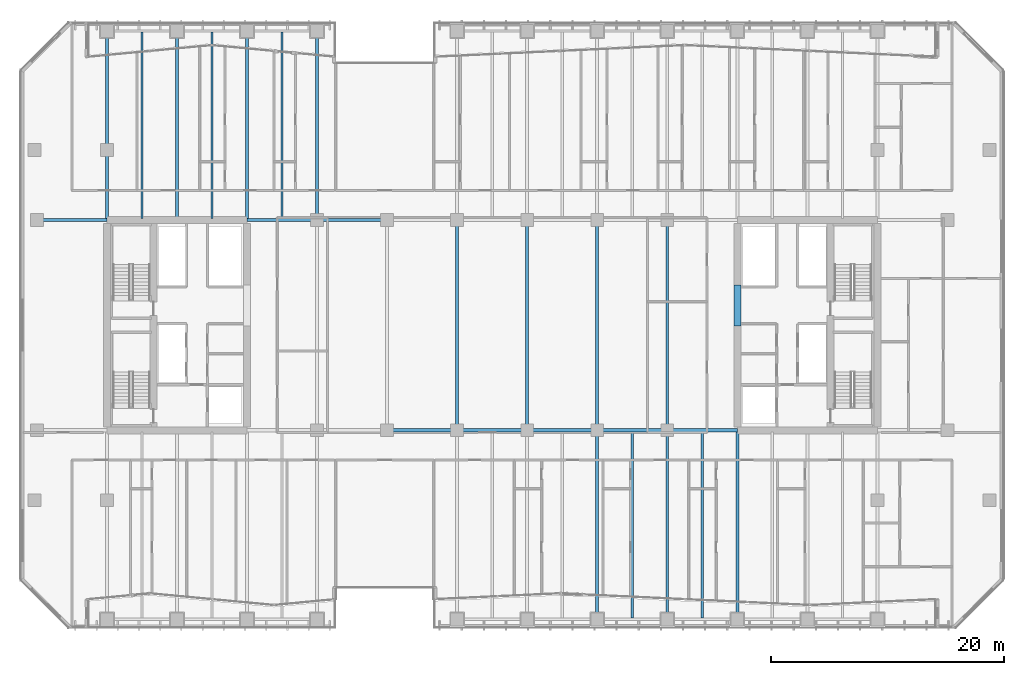
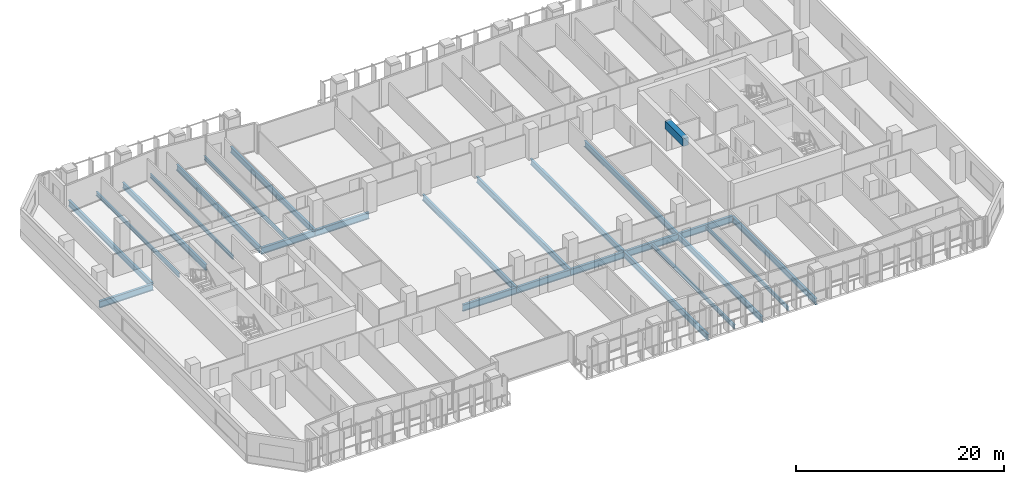
# One storey, part 8 of 31: 25 beams.
"""IFC4 building model written with IfcOpenShell, lengths in metres."""

import ifcopenshell
import ifcopenshell.guid

model = None  # the IFC model being written
_history = None  # IfcOwnerHistory: only IFC2X3 demands one
_inside = {}  # id of a spatial element -> (the spatial element, [elements in it])
_under = {}  # id of a project, library or spatial element -> (it, [spatial elements below it])
_declared = {}  # id of a project -> (the project, [libraries it declares])
_typed = {}  # id of a type object -> (the type object, [elements of that type])
_made_of = {}  # id of a material, layer set ... -> (it, [elements and type objects made of it])


def new_model(schema):
    """Start an empty IFC model of exactly this schema.

    Asked for "IFC4X3", IfcOpenShell would pick the latest addendum, in which some entities
    have other attributes; the version numbers below select the first issue.
    IFC2X3 requires an IfcOwnerHistory on every rooted entity: one is made here for all.
    """
    global model, _history
    if schema == "IFC4X3":
        model = ifcopenshell.file(schema_version=(4, 3, 0, 0))
    else:
        model = ifcopenshell.file(schema=schema)
    _inside.clear()
    _under.clear()
    _declared.clear()
    _typed.clear()
    _made_of.clear()
    _history = None
    if model.schema == "IFC2X3":
        org = make("IfcOrganization", Name="unknown")
        user = make(
            "IfcPersonAndOrganization",
            ThePerson=make("IfcPerson", FamilyName="unknown"),
            TheOrganization=org,
        )
        app = make(
            "IfcApplication",
            ApplicationDeveloper=org,
            Version="unknown",
            ApplicationFullName="unknown",
            ApplicationIdentifier="unknown",
        )
        _history = make(
            "IfcOwnerHistory",
            OwningUser=user,
            OwningApplication=app,
            ChangeAction="ADDED",
            CreationDate=0,
        )
    return model


def make(cls, **values):
    """One entity of the class cls with the attributes given. An attribute that is None is left unset."""
    return model.create_entity(
        cls, **{name: value for name, value in values.items() if value is not None}
    )


def rooted(cls, **values):
    """An entity with a GlobalId (a new one), such as an element, a storey or a relation."""
    return make(cls, GlobalId=ifcopenshell.guid.new(), OwnerHistory=_history, **values)


def si_unit(unit_type, name, prefix=None):
    """IfcSIUnit, for example si_unit("LENGTHUNIT", "METRE", prefix="MILLI")."""
    return make("IfcSIUnit", UnitType=unit_type, Prefix=prefix, Name=name)


def assignment(units):
    """IfcUnitAssignment: the units of a project."""
    return None if units is None else make("IfcUnitAssignment", Units=units)


def point(xyz):
    """IfcCartesianPoint."""
    return None if xyz is None else make("IfcCartesianPoint", Coordinates=xyz)


def direction(xyz):
    """IfcDirection."""
    return None if xyz is None else make("IfcDirection", DirectionRatios=xyz)


def frame(location, z_axis=None, x_axis=None):
    """IfcAxis2Placement3D, a coordinate frame: its origin and axes. An axis left out is left unset."""
    return make(
        "IfcAxis2Placement3D",
        Location=point(location),
        Axis=direction(z_axis),
        RefDirection=direction(x_axis),
    )


def frame_2d(location, x_axis=None):
    """IfcAxis2Placement2D, a coordinate frame in the plane: its origin and x axis."""
    return make(
        "IfcAxis2Placement2D", Location=point(location), RefDirection=direction(x_axis)
    )


def origin():
    """The frame at (0, 0, 0) with its axes left unset."""
    return frame((0.0, 0.0, 0.0))


def origin_2d():
    """The frame at (0, 0) in the plane with its x axis left unset."""
    return frame_2d((0.0, 0.0))


def place(relative_to, where):
    """IfcLocalPlacement: puts the frame where relative to a parent placement (None: the world)."""
    return make(
        "IfcLocalPlacement", PlacementRelTo=relative_to, RelativePlacement=where
    )


def context(
    kind, dimensions, precision=None, world=None, true_north=None, identifier=None
):
    """IfcGeometricRepresentationContext, for example the 3D "Model" context."""
    return make(
        "IfcGeometricRepresentationContext",
        ContextIdentifier=identifier,
        ContextType=kind,
        CoordinateSpaceDimension=dimensions,
        Precision=precision,
        WorldCoordinateSystem=world,
        TrueNorth=true_north,
    )


def subcontext(parent, identifier, kind, view, scale=None):
    """IfcGeometricRepresentationSubContext, for example "Body" below "Model"."""
    return make(
        "IfcGeometricRepresentationSubContext",
        ContextIdentifier=identifier,
        ContextType=kind,
        ParentContext=parent,
        TargetScale=scale,
        TargetView=view,
    )


def project(units=None, contexts=None):
    """IfcProject with its units and contexts."""
    return rooted(
        "IfcProject",
        Name="project",
        RepresentationContexts=contexts,
        UnitsInContext=assignment(units),
    )


def spatial(cls, under=None, at=None, **own):
    """A site, building, storey or space (cls), placed at a placement, below another one or the project."""
    s = rooted(cls, ObjectPlacement=at, **own)
    if under is not None:
        _under.setdefault(under.id(), (under, []))[1].append(s)
    return s


def profile(cls, at=None, kind="AREA", **sizes):
    """A parametric profile (cls). Its sizes go by their IFC names, for example OverallWidth=200.0."""
    return make(cls, ProfileType=kind, Position=at, **sizes)


def rectangle(**sizes):
    """IfcRectangleProfileDef."""
    return profile("IfcRectangleProfileDef", **sizes)


def i_section(**sizes):
    """IfcIShapeProfileDef."""
    return profile("IfcIShapeProfileDef", **sizes)


def extrude(swept, where, along, depth):
    """IfcExtrudedAreaSolid: the profile swept, set in the frame where, extruded along a direction by depth."""
    return make(
        "IfcExtrudedAreaSolid",
        SweptArea=swept,
        Position=where,
        ExtrudedDirection=direction(along),
        Depth=depth,
    )


def shape(context_of_items, identifier, shape_type, items):
    """IfcShapeRepresentation: the items that make up one representation, for example the "Body"."""
    return make(
        "IfcShapeRepresentation",
        ContextOfItems=context_of_items,
        RepresentationIdentifier=identifier,
        RepresentationType=shape_type,
        Items=items,
    )


def material(Name=None, Category=None):
    """IfcMaterial."""
    return make("IfcMaterial", Name=Name, Category=Category)


def material_profile(
    of_material, cross_section, Name=None, Category=None, Priority=None
):
    """IfcMaterialProfile: a cross section and its material."""
    return make(
        "IfcMaterialProfile",
        Name=Name,
        Material=of_material,
        Profile=cross_section,
        Priority=Priority,
        Category=Category,
    )


def profile_set(profiles, Name=None, composite=None):
    """IfcMaterialProfileSet."""
    return make(
        "IfcMaterialProfileSet",
        Name=Name,
        MaterialProfiles=profiles,
        CompositeProfile=composite,
    )


def made_of(thing, what):
    """Note that an element or type object is made of a material, layer set ...; save() writes the relation."""
    if what is not None:
        _made_of.setdefault(what.id(), (what, []))[1].append(thing)
    return thing


def type_object(cls, material=None, **own):
    """A type object (cls), such as IfcWallType, which elements share."""
    return made_of(rooted(cls, **own), material)


def element(
    cls,
    number,
    at=None,
    inside=None,
    cuts=None,
    type_object=None,
    material=None,
    context=None,
    identifier="Body",
    shape_type=None,
    held_by="IfcProductDefinitionShape",
    body=None,
    shapes=None,
    **own,
):
    """One element of the class cls, such as IfcWall. Its Tag is "e" and its number.

    at: its placement. inside: the storey or other place that contains it. cuts: it is an
    opening in that element (IfcRelVoidsElement). A single representation is given by context,
    identifier, shape_type and body (its items); several are given by shapes. held_by: the class
    of the entity that holds the representations. save() writes the other relations.
    """
    e = rooted(cls, Tag="e%d" % number, ObjectPlacement=at, **own)
    if body is not None:
        shapes = [shape(context, identifier, shape_type, body)]
    if shapes is not None:
        e.Representation = make(held_by, Representations=shapes)
    if inside is not None:
        _inside.setdefault(inside.id(), (inside, []))[1].append(e)
    if cuts is not None:
        rooted(
            "IfcRelVoidsElement", RelatingBuildingElement=cuts, RelatedOpeningElement=e
        )
    if type_object is not None:
        _typed.setdefault(type_object.id(), (type_object, []))[1].append(e)
    return made_of(e, material)


def aggregate(whole, parts):
    """IfcRelAggregates: a whole, such as a stair, and the parts it consists of."""
    return rooted("IfcRelAggregates", RelatingObject=whole, RelatedObjects=parts)


def save(model, path):
    """Write the relations noted so far, then the file.

    IfcRelAggregates (storeys below a building ...), IfcRelContainedInSpatialStructure (elements
    in a storey), IfcRelDefinesByType, IfcRelAssociatesMaterial and IfcRelDeclares: one each for
    every whole, place, type object, material and project.
    """
    for whole, parts in _under.values():
        aggregate(whole, parts)
    for where, things in _inside.values():
        rooted(
            "IfcRelContainedInSpatialStructure",
            RelatedElements=things,
            RelatingStructure=where,
        )
    for kind, things in _typed.values():
        rooted("IfcRelDefinesByType", RelatedObjects=things, RelatingType=kind)
    for what, things in _made_of.values():
        rooted("IfcRelAssociatesMaterial", RelatedObjects=things, RelatingMaterial=what)
    for by, libraries in _declared.values():
        rooted("IfcRelDeclares", RelatingContext=by, RelatedDefinitions=libraries)
    model.write(path)


model = new_model("IFC4")

# Units and contexts
model_context = context("Model", 3, precision=1e-05, world=origin(), true_north=direction((0.0, 1.0)))
body_context = subcontext(model_context, "Body", "Model", "MODEL_VIEW")
ifc_project = project(units=[si_unit("LENGTHUNIT", "METRE"), si_unit("AREAUNIT", "SQUARE_METRE"), si_unit("VOLUMEUNIT", "CUBIC_METRE"), si_unit("PLANEANGLEUNIT", "RADIAN"), si_unit("MASSUNIT", "GRAM", prefix="KILO")], contexts=[model_context])

# Site, building, storey
site_placement = place(None, origin())
site = spatial("IfcSite", under=ifc_project, at=site_placement, CompositionType="ELEMENT")
building_placement = place(site_placement, origin())
building = spatial("IfcBuilding", under=site, at=building_placement, Name="Tanjung Sevakor Pilgrim Tower", CompositionType="ELEMENT")
storey_placement = place(building_placement, frame((0.0, 0.0, 58.739990234375)))
storey = spatial("IfcBuildingStorey", under=building, at=storey_placement, Name="L16", CompositionType="ELEMENT", Elevation=58.739990234375)

# Beams
ifc_material_1 = material(Name="Steel S355J2", Category="steel")
ifc_material_profile_1 = material_profile(ifc_material_1, i_section(OverallWidth=0.26806640625, OverallDepth=0.769775390625, WebThickness=0.015625, FlangeThickness=0.025390625, FilletRadius=0.0166015625, at=origin_2d()))
ifc_profile_set_1 = profile_set([ifc_material_profile_1], Name="Steel S355J2")
beam_type_1 = type_object("IfcBeamType", Name="BM-B-G1-UB_762x267x197", PredefinedType="BEAM", material=ifc_profile_set_1)
for number, where, z_axis, x_axis, name in (
    (1, (48.0, 24.60009765625, -0.60498046875), (1.0, 0.0, 0.0), (0.0, 1.0, 0.0), "L16 Primary Floor Girder MAIN Y246-04"),
    (2, (54.0, 24.60009765625, -0.60498046875), (1.0, 0.0, 0.0), (0.0, 1.0, 0.0), "L16 Primary Floor Girder MAIN Y246-05"),
    (3, (60.0, 24.60009765625, -0.60498046875), (1.0, 0.0, 0.0), (0.0, 1.0, 0.0), "L16 Primary Floor Girder MAIN Y246-06"),
    (4, (66.0, 24.60009765625, -0.60498046875), (1.0, 0.0, 0.0), (0.0, 1.0, 0.0), "L16 Primary Floor Girder MAIN Y246-07"),
    (5, (72.0, 24.60009765625, -0.60498046875), (1.0, 0.0, 0.0), (0.0, 1.0, 0.0), "L16 Primary Floor Girder MAIN Y246-08"),
    (6, (18.0, 42.60009765625, -0.60498046875), (1.0, 0.0, 0.0), (0.0, 1.0, 0.0), "L16 Primary Floor Girder MAIN Y426-01"),
    (7, (36.0, 42.60009765625, -0.60498046875), (1.0, 0.0, 0.0), (0.0, 1.0, 0.0), "L16 Primary Floor Girder MAIN Y426-02"),
    (8, (42.0, 42.60009765625, -0.60498046875), (1.0, 0.0, 0.0), (0.0, 1.0, 0.0), "L16 Primary Floor Girder MAIN Y426-03"),
):
    element("IfcBeam", number, at=place(storey_placement, frame(where, z_axis=z_axis, x_axis=x_axis)), inside=storey, type_object=beam_type_1, Name=name, PredefinedType="BEAM", context=body_context, shape_type="SweptSolid", body=[
        extrude(i_section(OverallWidth=0.26806640625, OverallDepth=0.769775390625, WebThickness=0.015625, FlangeThickness=0.025390625, FilletRadius=0.0166015625, at=origin_2d()), origin(), (0.0, 0.0, 1.0), 6.0),
    ])
ifc_material_2 = material(Name="Steel S355J2", Category="steel")
ifc_material_profile_2 = material_profile(ifc_material_2, i_section(OverallWidth=0.25439453125, OverallDepth=0.6875, WebThickness=0.01318359375, FlangeThickness=0.02099609375, FilletRadius=0.01513671875, at=origin_2d()))
ifc_profile_set_2 = profile_set([ifc_material_profile_2], Name="Steel S355J2")
beam_type_2 = type_object("IfcBeamType", Name="BM-B-G2-UB_686x254x152", PredefinedType="BEAM", material=ifc_profile_set_2)
for number, where, z_axis, x_axis, name in (
    (9, (24.0, 42.73388671875, -0.563720703125), (0.0, 1.0, 0.0), (-1.0, 0.0, 0.0), "L16 MAIN Girder 002"),
    (10, (30.0, 42.73388671875, -0.563720703125), (0.0, 1.0, 0.0), (-1.0, 0.0, 0.0), "L16 MAIN Girder 006"),
    (11, (36.0, 42.73388671875, -0.563720703125), (0.0, 1.0, 0.0), (-1.0, 0.0, 0.0), "L16 MAIN Girder 010"),
):
    element("IfcBeam", number, at=place(storey_placement, frame(where, z_axis=z_axis, x_axis=x_axis)), inside=storey, type_object=beam_type_2, Name=name, PredefinedType="BEAM", context=body_context, shape_type="SweptSolid", body=[
        extrude(i_section(OverallWidth=0.25439453125, OverallDepth=0.6875, WebThickness=0.01318359375, FlangeThickness=0.02099609375, FilletRadius=0.01513671875, at=origin_2d()), origin(), (0.0, 0.0, 1.0), 16.066162109375),
    ])
beam_1_placement = place(storey_placement, frame((42.0, 42.60009765625, -0.563720703125), z_axis=(0.0, 1.0, 0.0), x_axis=(-1.0, 0.0, 0.0)))
element("IfcBeam", 12, at=beam_1_placement, inside=storey, type_object=beam_type_2, Name="L16 MAIN Girder 015", PredefinedType="BEAM", context=body_context, shape_type="SweptSolid", body=[
    extrude(i_section(OverallWidth=0.25439453125, OverallDepth=0.6875, WebThickness=0.01318359375, FlangeThickness=0.02099609375, FilletRadius=0.01513671875, at=origin_2d()), origin(), (0.0, 0.0, 1.0), 16.199951171875),
])
for number, where, z_axis, x_axis, name in (
    (13, (54.0, 24.60009765625, -0.563720703125), (0.0, 1.0, 0.0), (-1.0, 0.0, 0.0), "L16 MAIN Girder 018"),
    (14, (60.0, 24.60009765625, -0.563720703125), (0.0, 1.0, 0.0), (-1.0, 0.0, 0.0), "L16 MAIN Girder 023"),
):
    element("IfcBeam", number, at=place(storey_placement, frame(where, z_axis=z_axis, x_axis=x_axis)), inside=storey, type_object=beam_type_2, Name=name, PredefinedType="BEAM", context=body_context, shape_type="SweptSolid", body=[
        extrude(i_section(OverallWidth=0.25439453125, OverallDepth=0.6875, WebThickness=0.01318359375, FlangeThickness=0.02099609375, FilletRadius=0.01513671875, at=origin_2d()), origin(), (0.0, 0.0, 1.0), 18.0),
    ])
beam_2_placement = place(storey_placement, frame((66.0, 8.39990234375, -0.563720703125), z_axis=(0.0, 1.0, 0.0), x_axis=(-1.0, 0.0, 0.0)))
element("IfcBeam", 15, at=beam_2_placement, inside=storey, type_object=beam_type_2, Name="L16 MAIN Girder 027", PredefinedType="BEAM", context=body_context, shape_type="SweptSolid", body=[
    extrude(i_section(OverallWidth=0.25439453125, OverallDepth=0.6875, WebThickness=0.01318359375, FlangeThickness=0.02099609375, FilletRadius=0.01513671875, at=origin_2d()), origin(), (0.0, 0.0, 1.0), 16.2001953125),
])
beam_3_placement = place(storey_placement, frame((66.0, 24.60009765625, -0.563720703125), z_axis=(0.0, 1.0, 0.0), x_axis=(-1.0, 0.0, 0.0)))
element("IfcBeam", 16, at=beam_3_placement, inside=storey, type_object=beam_type_2, Name="L16 MAIN Girder 028", PredefinedType="BEAM", context=body_context, shape_type="SweptSolid", body=[
    extrude(i_section(OverallWidth=0.25439453125, OverallDepth=0.6875, WebThickness=0.01318359375, FlangeThickness=0.02099609375, FilletRadius=0.01513671875, at=origin_2d()), origin(), (0.0, 0.0, 1.0), 18.0),
])
beam_4_placement = place(storey_placement, frame((72.0, 8.39990234375, -0.563720703125), z_axis=(0.0, 1.0, 0.0), x_axis=(-1.0, 0.0, 0.0)))
element("IfcBeam", 17, at=beam_4_placement, inside=storey, type_object=beam_type_2, Name="L16 MAIN Girder 032", PredefinedType="BEAM", context=body_context, shape_type="SweptSolid", body=[
    extrude(i_section(OverallWidth=0.25439453125, OverallDepth=0.6875, WebThickness=0.01318359375, FlangeThickness=0.02099609375, FilletRadius=0.01513671875, at=origin_2d()), origin(), (0.0, 0.0, 1.0), 16.2001953125),
])
beam_5_placement = place(storey_placement, frame((72.0, 24.60009765625, -0.563720703125), z_axis=(0.0, 1.0, 0.0), x_axis=(-1.0, 0.0, 0.0)))
element("IfcBeam", 18, at=beam_5_placement, inside=storey, type_object=beam_type_2, Name="L16 MAIN Girder 033", PredefinedType="BEAM", context=body_context, shape_type="SweptSolid", body=[
    extrude(i_section(OverallWidth=0.25439453125, OverallDepth=0.6875, WebThickness=0.01318359375, FlangeThickness=0.02099609375, FilletRadius=0.01513671875, at=origin_2d()), origin(), (0.0, 0.0, 1.0), 18.0),
])
beam_6_placement = place(storey_placement, frame((78.0, 8.39990234375, -0.563720703125), z_axis=(0.0, 1.0, 0.0), x_axis=(-1.0, 0.0, 0.0)))
element("IfcBeam", 19, at=beam_6_placement, inside=storey, type_object=beam_type_2, Name="L16 MAIN Girder 037", PredefinedType="BEAM", context=body_context, shape_type="SweptSolid", body=[
    extrude(i_section(OverallWidth=0.25439453125, OverallDepth=0.6875, WebThickness=0.01318359375, FlangeThickness=0.02099609375, FilletRadius=0.01513671875, at=origin_2d()), origin(), (0.0, 0.0, 1.0), 16.066162109375),
])
ifc_material_3 = material(Name="Steel S355J2", Category="steel")
ifc_material_profile_3 = material_profile(ifc_material_3, i_section(OverallWidth=0.19140625, OverallDepth=0.4599609375, WebThickness=0.010009765625, FlangeThickness=0.01611328125, FilletRadius=0.01025390625, at=origin_2d()))
ifc_profile_set_3 = profile_set([ifc_material_profile_3], Name="Steel S355J2")
beam_type_3 = type_object("IfcBeamType", Name="BM-B-J2-UB_457x191x82", PredefinedType="JOIST", material=ifc_profile_set_3)
for number, where, z_axis, x_axis, name in (
    (20, (27.0, 42.73388671875, -0.449951171875), (0.0, 1.0, 0.0), (-1.0, 0.0, 0.0), "L16 MAIN Joist 004"),
    (21, (33.0, 42.73388671875, -0.449951171875), (0.0, 1.0, 0.0), (-1.0, 0.0, 0.0), "L16 MAIN Joist 008"),
    (22, (39.0, 42.73388671875, -0.449951171875), (0.0, 1.0, 0.0), (-1.0, 0.0, 0.0), "L16 MAIN Joist 012"),
    (23, (69.0, 8.5, -0.449951171875), (0.0, 1.0, 0.0), (-1.0, 0.0, 0.0), "L16 MAIN Joist 030"),
    (24, (75.0, 8.5, -0.449951171875), (0.0, 1.0, 0.0), (-1.0, 0.0, 0.0), "L16 MAIN Joist 035"),
):
    element("IfcBeam", number, at=place(storey_placement, frame(where, z_axis=z_axis, x_axis=x_axis)), inside=storey, type_object=beam_type_3, Name=name, PredefinedType="JOIST", context=body_context, shape_type="SweptSolid", body=[
        extrude(i_section(OverallWidth=0.19140625, OverallDepth=0.4599609375, WebThickness=0.010009765625, FlangeThickness=0.01611328125, FilletRadius=0.01025390625, at=origin_2d()), origin(), (0.0, 0.0, 1.0), 15.966064453125),
    ])
ifc_material_4 = material(Name="Concrete C60/75", Category="concrete")
ifc_material_profile_4 = material_profile(ifc_material_4, rectangle(XDim=0.60009765625, YDim=0.89990234375, at=origin_2d()))
ifc_profile_set_4 = profile_set([ifc_material_profile_4], Name="Concrete C60/75")
beam_type_4 = type_object("IfcBeamType", Name="BM-B-LN1-RC-BM_600x900", PredefinedType="LINTEL", material=ifc_profile_set_4)
beam_7_placement = place(storey_placement, frame((78.0, 33.550048828125, 2.9599609375), z_axis=(0.0, 1.0, 0.0), x_axis=(-1.0, 0.0, 0.0)))
element("IfcBeam", 25, at=beam_7_placement, inside=storey, type_object=beam_type_4, Name="L16 E Core Coupling Lintel", PredefinedType="LINTEL", context=body_context, shape_type="SweptSolid", body=[
    extrude(rectangle(XDim=0.60009765625, YDim=0.89990234375, at=origin_2d()), origin(), (0.0, 0.0, 1.0), 3.5),
])

save(model, "model.ifc")
